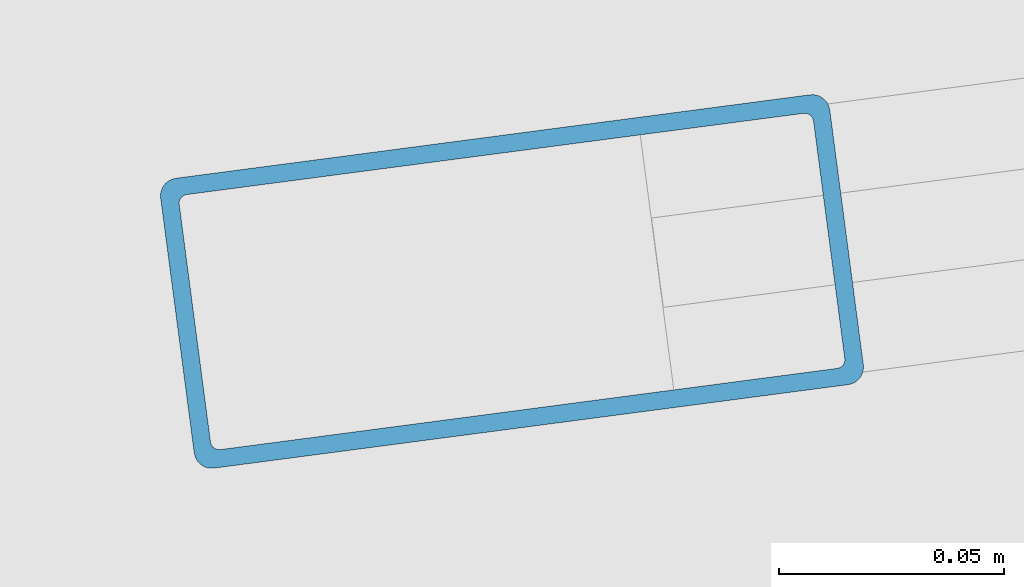
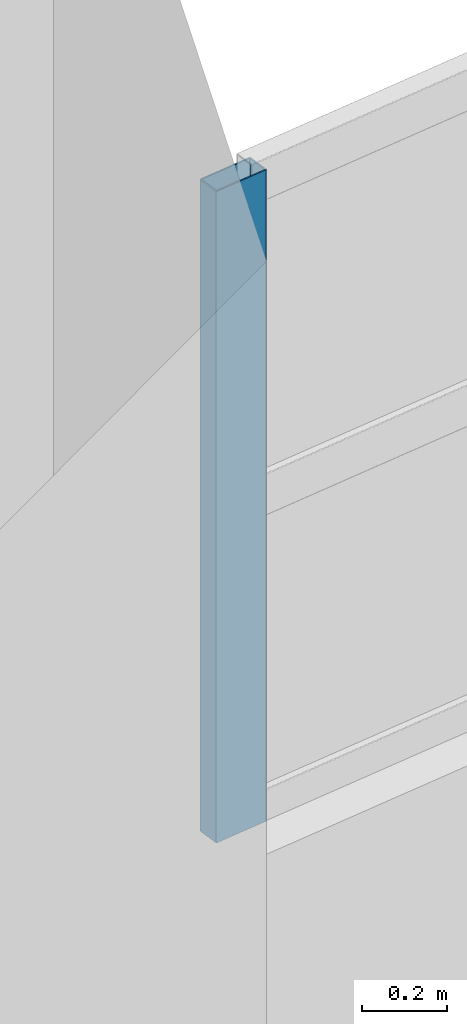
# One storey, part 48 of 121: 1 member, 1 element without a shape of its own.
"""IFC4 building model written with IfcOpenShell, lengths in metres."""

from ifc_helpers import new_model, si_unit, direction, frame, origin, origin_2d, place, context, subcontext, project, spatial, hollow_rectangle, extrude, material, layer, layer_set, material_profile, profile_set, type_object, element, aggregate, save


model = new_model("IFC4")

# Units and contexts
model_context = context("Model", 3, precision=1e-05, world=origin(), true_north=direction((0.0, 1.0)))
body_context = subcontext(model_context, "Body", "Model", "MODEL_VIEW")
ifc_project = project(units=[si_unit("LENGTHUNIT", "METRE"), si_unit("AREAUNIT", "SQUARE_METRE"), si_unit("VOLUMEUNIT", "CUBIC_METRE"), si_unit("PLANEANGLEUNIT", "RADIAN"), si_unit("MASSUNIT", "GRAM", prefix="KILO")], contexts=[model_context])

# Site, building, storey
site_placement = place(None, origin())
site = spatial("IfcSite", under=ifc_project, at=site_placement, CompositionType="ELEMENT")
building_placement = place(site_placement, origin())
building = spatial("IfcBuilding", under=site, at=building_placement, Name="Vespera Passage Community Centre", CompositionType="ELEMENT")
storey_placement = place(building_placement, frame((0.0, 0.0, 8.699951171875)))
storey = spatial("IfcBuildingStorey", under=building, at=storey_placement, Name="L02", CompositionType="ELEMENT", Elevation=8.699951171875)

# Curtain wall, member
ifc_material_1 = material(Name="Anodized aluminium 6063-T6", Category="aluminium")
ifc_layer = layer(ifc_material_1, 0.159912109375)
ifc_layer_set = layer_set([ifc_layer], Name="Anodized aluminium 6063-T6")
curtain_wall_type = type_object("IfcCurtainWallType", Name="CW-28E", PredefinedType="NOTDEFINED", material=ifc_layer_set)
curtain_wall_placement = place(storey_placement, origin())
curtain_wall = element("IfcCurtainWall", 1, at=curtain_wall_placement, inside=storey, type_object=curtain_wall_type, Name="V4 L02 Outer Ribbon Curtain Wall 6", PredefinedType="NOTDEFINED")
ifc_material_2 = material(Name="Anodized aluminium 6063-T6", Category="aluminium")
ifc_material_profile = material_profile(ifc_material_2, hollow_rectangle(XDim=0.06494140625, YDim=0.14990234375, WallThickness=0.00390625, InnerFilletRadius=0.001953125, OuterFilletRadius=0.00390625, at=origin_2d()), Name="ALU150X65X4")
ifc_profile_set = profile_set([ifc_material_profile], Name="Anodized aluminium 6063-T6")
member_type = type_object("IfcMemberType", Name="MB-CWM-150E", PredefinedType="MULLION", material=ifc_profile_set)
member_placement = place(storey_placement, frame((66.688720703125, 110.11083984375, 0.820068359375), z_axis=(0.0, 0.0, 1.0), x_axis=(-0.130530818696, 0.991444252276, 0.0)))
member = element("IfcMember", 2, at=member_placement, type_object=member_type, Name="CW-28E mullion 1", PredefinedType="MULLION", context=body_context, shape_type="SweptSolid", body=[
    extrude(hollow_rectangle(XDim=0.06494140625, YDim=0.14990234375, WallThickness=0.00390625, InnerFilletRadius=0.001953125, OuterFilletRadius=0.00390625, at=origin_2d()), origin(), (0.0, 0.0, 1.0), 1.865478515625),
])
aggregate(curtain_wall, [member])

save(model, "model.ifc")
